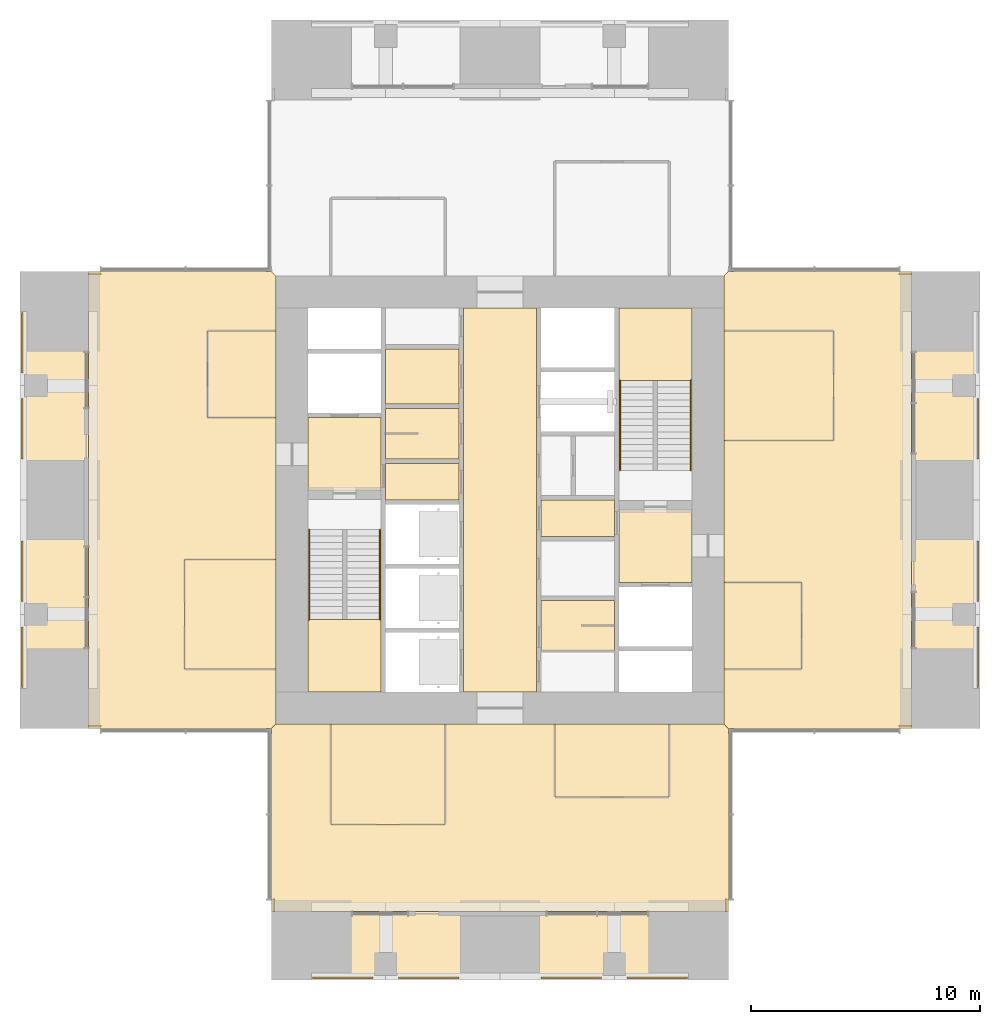
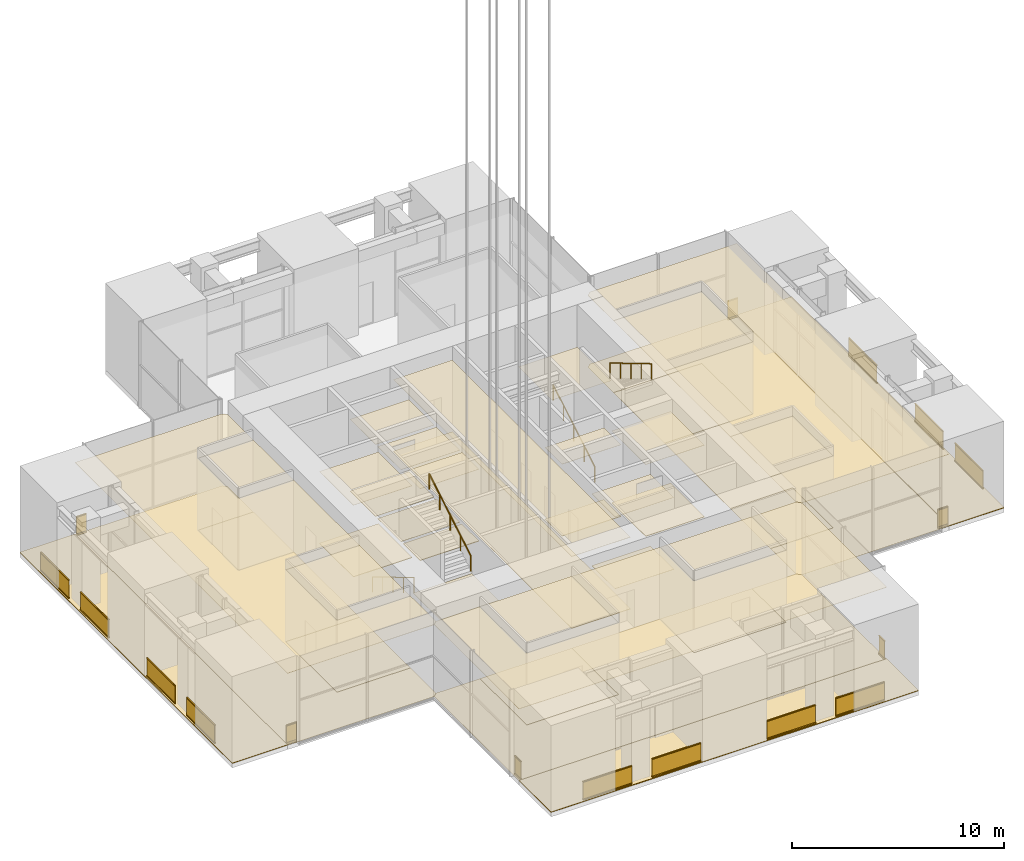
# One storey, part 15 of 17: 39 coverings, 21 railings.
"""IFC4 building model written with IfcOpenShell, lengths in metres."""

from ifc_helpers import new_model, si_unit, direction, frame, origin, origin_2d, place, context, subcontext, project, spatial, polyline, rectangle, circle, outline, extrude, material, layer, layer_set, type_object, element, save


model = new_model("IFC4")

# Units and contexts
model_context = context("Model", 3, precision=1e-05, world=origin(), true_north=direction((0.0, 1.0)))
body_context = subcontext(model_context, "Body", "Model", "MODEL_VIEW")
ifc_project = project(units=[si_unit("LENGTHUNIT", "METRE"), si_unit("AREAUNIT", "SQUARE_METRE"), si_unit("VOLUMEUNIT", "CUBIC_METRE"), si_unit("PLANEANGLEUNIT", "RADIAN"), si_unit("MASSUNIT", "GRAM", prefix="KILO")], contexts=[model_context])

# Site, building, storey
site_placement = place(None, origin())
site = spatial("IfcSite", under=ifc_project, at=site_placement, CompositionType="ELEMENT")
building_placement = place(site_placement, origin())
building = spatial("IfcBuilding", under=site, at=building_placement, Name="Svetlomir Tower", CompositionType="ELEMENT")
storey_placement = place(building_placement, frame((0.0, 0.0, 165.5)))
storey = spatial("IfcBuildingStorey", under=building, at=storey_placement, Name="L39", CompositionType="ELEMENT", Elevation=165.5)

# Railings
ifc_material_1 = material(Name="Bronze anodised aluminium and laminated glass", Category="aluminium")
railing_type_1 = type_object("IfcRailingType", Name="BALCONY GUARD GR1 1100", PredefinedType="GUARDRAIL", material=ifc_material_1)
for number, where, name in (
    (1, (12.800048828125, 0.10009765625, 0.0), "Loggia guard S L39 bay 1"),
    (2, (16.550048828125, 0.10009765625, 0.0), "Loggia guard S L39 bay 2"),
    (3, (22.800048828125, 0.10009765625, 0.0), "Loggia guard S L39 bay 3"),
    (4, (26.550048828125, 0.10009765625, 0.0), "Loggia guard S L39 bay 4"),
):
    element("IfcRailing", number, at=place(storey_placement, frame(where)), inside=storey, type_object=railing_type_1, Name=name, PredefinedType="GUARDRAIL", context=body_context, shape_type="SweptSolid", body=[
        extrude(rectangle(XDim=0.06005859375, YDim=0.10009765625, at=origin_2d()), frame((0.0, 0.0, 0.050048828125), z_axis=(1.0, 0.0, 0.0), x_axis=(0.0, 1.0, 0.0)), (0.0, 0.0, 1.0), 2.64990234375),
        extrude(rectangle(XDim=0.021484375, YDim=0.960205078125, at=origin_2d()), frame((0.0, 0.0, 0.580078125), z_axis=(1.0, 0.0, 0.0), x_axis=(0.0, 1.0, 0.0)), (0.0, 0.0, 1.0), 2.64990234375),
        extrude(rectangle(XDim=0.06005859375, YDim=0.0400390625, at=origin_2d()), frame((0.0, 0.0, 1.080078125), z_axis=(1.0, 0.0, 0.0), x_axis=(0.0, 1.0, 0.0)), (0.0, 0.0, 1.0), 2.64990234375),
    ])
for number, where, name in (
    (5, (11.10009765625, 3.550048828125, 0.0), "Loggia guard S L39 end 1"),
    (6, (30.89990234375, 3.550048828125, 0.0), "Loggia guard S L39 end 2"),
):
    element("IfcRailing", number, at=place(storey_placement, frame(where)), inside=storey, type_object=railing_type_1, Name=name, PredefinedType="GUARDRAIL", context=body_context, shape_type="SweptSolid", body=[
        extrude(rectangle(XDim=0.06005859375, YDim=0.10009765625, at=origin_2d()), frame((0.0, 0.0, 0.050048828125), z_axis=(0.0, -1.0, 0.0), x_axis=(1.0, 0.0, 0.0)), (0.0, 0.0, 1.0), 0.550048828125),
        extrude(rectangle(XDim=0.021484375, YDim=0.960205078125, at=origin_2d()), frame((0.0, 0.0, 0.580078125), z_axis=(0.0, -1.0, 0.0), x_axis=(1.0, 0.0, 0.0)), (0.0, 0.0, 1.0), 0.550048828125),
        extrude(rectangle(XDim=0.06005859375, YDim=0.0400390625, at=origin_2d()), frame((0.0, 0.0, 1.080078125), z_axis=(0.0, -1.0, 0.0), x_axis=(1.0, 0.0, 0.0)), (0.0, 0.0, 1.0), 0.550048828125),
    ])
for number, where, name in (
    (7, (41.89990234375, 12.800048828125, 0.0), "Loggia guard E L39 bay 1"),
    (8, (41.89990234375, 16.550048828125, 0.0), "Loggia guard E L39 bay 2"),
    (9, (41.89990234375, 22.800048828125, 0.0), "Loggia guard E L39 bay 3"),
):
    element("IfcRailing", number, at=place(storey_placement, frame(where)), inside=storey, type_object=railing_type_1, Name=name, PredefinedType="GUARDRAIL", context=body_context, shape_type="SweptSolid", body=[
        extrude(rectangle(XDim=0.06005859375, YDim=0.10009765625, at=origin_2d()), frame((0.0, 0.0, 0.050048828125), z_axis=(0.0, 1.0, 0.0), x_axis=(-1.0, 0.0, 0.0)), (0.0, 0.0, 1.0), 2.64990234375),
        extrude(rectangle(XDim=0.021484375, YDim=0.960205078125, at=origin_2d()), frame((0.0, 0.0, 0.580078125), z_axis=(0.0, 1.0, 0.0), x_axis=(-1.0, 0.0, 0.0)), (0.0, 0.0, 1.0), 2.64990234375),
        extrude(rectangle(XDim=0.06005859375, YDim=0.0400390625, at=origin_2d()), frame((0.0, 0.0, 1.080078125), z_axis=(0.0, 1.0, 0.0), x_axis=(-1.0, 0.0, 0.0)), (0.0, 0.0, 1.0), 2.64990234375),
    ])
for number, where, name in (
    (10, (38.449951171875, 11.10009765625, 0.0), "Loggia guard E L39 end 1"),
    (11, (38.449951171875, 30.89990234375, 0.0), "Loggia guard E L39 end 2"),
):
    element("IfcRailing", number, at=place(storey_placement, frame(where)), inside=storey, type_object=railing_type_1, Name=name, PredefinedType="GUARDRAIL", context=body_context, shape_type="SweptSolid", body=[
        extrude(rectangle(XDim=0.06005859375, YDim=0.10009765625, at=origin_2d()), frame((0.0, 0.0, 0.050048828125), z_axis=(1.0, 0.0, 0.0), x_axis=(0.0, 1.0, 0.0)), (0.0, 0.0, 1.0), 0.550048828125),
        extrude(rectangle(XDim=0.021484375, YDim=0.960205078125, at=origin_2d()), frame((0.0, 0.0, 0.580078125), z_axis=(1.0, 0.0, 0.0), x_axis=(0.0, 1.0, 0.0)), (0.0, 0.0, 1.0), 0.550048828125),
        extrude(rectangle(XDim=0.06005859375, YDim=0.0400390625, at=origin_2d()), frame((0.0, 0.0, 1.080078125), z_axis=(1.0, 0.0, 0.0), x_axis=(0.0, 1.0, 0.0)), (0.0, 0.0, 1.0), 0.550048828125),
    ])
for number, where, name in (
    (12, (0.10009765625, 12.800048828125, 0.0), "Loggia guard W L39 bay 1"),
    (13, (0.10009765625, 16.550048828125, 0.0), "Loggia guard W L39 bay 2"),
    (14, (0.10009765625, 22.800048828125, 0.0), "Loggia guard W L39 bay 3"),
    (15, (0.10009765625, 26.550048828125, 0.0), "Loggia guard W L39 bay 4"),
):
    element("IfcRailing", number, at=place(storey_placement, frame(where)), inside=storey, type_object=railing_type_1, Name=name, PredefinedType="GUARDRAIL", context=body_context, shape_type="SweptSolid", body=[
        extrude(rectangle(XDim=0.06005859375, YDim=0.10009765625, at=origin_2d()), frame((0.0, 0.0, 0.050048828125), z_axis=(0.0, 1.0, 0.0), x_axis=(-1.0, 0.0, 0.0)), (0.0, 0.0, 1.0), 2.64990234375),
        extrude(rectangle(XDim=0.021484375, YDim=0.960205078125, at=origin_2d()), frame((0.0, 0.0, 0.580078125), z_axis=(0.0, 1.0, 0.0), x_axis=(-1.0, 0.0, 0.0)), (0.0, 0.0, 1.0), 2.64990234375),
        extrude(rectangle(XDim=0.06005859375, YDim=0.0400390625, at=origin_2d()), frame((0.0, 0.0, 1.080078125), z_axis=(0.0, 1.0, 0.0), x_axis=(-1.0, 0.0, 0.0)), (0.0, 0.0, 1.0), 2.64990234375),
    ])
for number, where, name in (
    (16, (3.550048828125, 11.10009765625, 0.0), "Loggia guard W L39 end 1"),
    (17, (3.550048828125, 30.89990234375, 0.0), "Loggia guard W L39 end 2"),
):
    element("IfcRailing", number, at=place(storey_placement, frame(where)), inside=storey, type_object=railing_type_1, Name=name, PredefinedType="GUARDRAIL", context=body_context, shape_type="SweptSolid", body=[
        extrude(rectangle(XDim=0.06005859375, YDim=0.10009765625, at=origin_2d()), frame((0.0, 0.0, 0.050048828125), z_axis=(-1.0, 0.0, 0.0), x_axis=(0.0, -1.0, 0.0)), (0.0, 0.0, 1.0), 0.550048828125),
        extrude(rectangle(XDim=0.021484375, YDim=0.960205078125, at=origin_2d()), frame((0.0, 0.0, 0.580078125), z_axis=(-1.0, 0.0, 0.0), x_axis=(0.0, -1.0, 0.0)), (0.0, 0.0, 1.0), 0.550048828125),
        extrude(rectangle(XDim=0.06005859375, YDim=0.0400390625, at=origin_2d()), frame((0.0, 0.0, 1.080078125), z_axis=(-1.0, 0.0, 0.0), x_axis=(0.0, -1.0, 0.0)), (0.0, 0.0, 1.0), 0.550048828125),
    ])

# Coverings
ifc_material_2 = material(Name="Granite paving slabs on pedestals", Category="masonry")
ifc_layer_1 = layer(ifc_material_2, 0.0400390625)
ifc_layer_set_1 = layer_set([ifc_layer_1], Name="Granite paving slabs on pedestals")
covering_type_1 = type_object("IfcCoveringType", Name="BALCONY PAVING 40", PredefinedType="USERDEFINED", material=ifc_layer_set_1)
covering_1_placement = place(storey_placement, origin())
element("IfcCovering", 18, at=covering_1_placement, inside=storey, type_object=covering_type_1, Name="Loggia paving S L39", ObjectType="BALCONY PAVING", PredefinedType="USERDEFINED", context=body_context, shape_type="SweptSolid", body=[
    extrude(outline(polyline([(11.0, 0.0), (31.0, 0.0), (31.0, 3.0), (11.0, 3.0), (11.0, 0.0)])), origin(), (0.0, 0.0, 1.0), 0.0400390625),
])
covering_2_placement = place(storey_placement, origin())
element("IfcCovering", 19, at=covering_2_placement, inside=storey, type_object=covering_type_1, Name="Loggia paving E L39", ObjectType="BALCONY PAVING", PredefinedType="USERDEFINED", context=body_context, shape_type="SweptSolid", body=[
    extrude(outline(polyline([(39.0, 11.0), (42.0, 11.0), (42.0, 31.0), (39.0, 31.0), (39.0, 11.0)])), origin(), (0.0, 0.0, 1.0), 0.0400390625),
])
covering_3_placement = place(storey_placement, origin())
element("IfcCovering", 20, at=covering_3_placement, inside=storey, type_object=covering_type_1, Name="Loggia paving W L39", ObjectType="BALCONY PAVING", PredefinedType="USERDEFINED", context=body_context, shape_type="SweptSolid", body=[
    extrude(outline(polyline([(0.0, 11.0), (3.0, 11.0), (3.0, 31.0), (0.0, 31.0), (0.0, 11.0)])), origin(), (0.0, 0.0, 1.0), 0.0400390625),
])
ifc_material_3 = material(Name="Carpet tile", Category="textile")
ifc_layer_2 = layer(ifc_material_3, 0.010009765625)
ifc_layer_set_2 = layer_set([ifc_layer_2], Name="Carpet tile")
covering_type_2 = type_object("IfcCoveringType", Name="CARPET TILE FLOOR 10", PredefinedType="FLOORING", material=ifc_layer_set_2)
covering_4_placement = place(storey_placement, origin())
element("IfcCovering", 21, at=covering_4_placement, inside=storey, type_object=covering_type_2, Name="Floor finish L39-16", PredefinedType="FLOORING", context=body_context, shape_type="SweptSolid", body=[
    extrude(outline(polyline([(13.60009765625, 6.800048828125), (18.60009765625, 6.800048828125), (18.60009765625, 11.199951171875), (13.60009765625, 11.199951171875), (13.60009765625, 6.800048828125)])), origin(), (0.0, 0.0, 1.0), 0.010009765625),
])
covering_5_placement = place(storey_placement, origin())
element("IfcCovering", 22, at=covering_5_placement, inside=storey, type_object=covering_type_2, Name="Floor finish L39-17", PredefinedType="FLOORING", context=body_context, shape_type="SweptSolid", body=[
    extrude(outline(polyline([(23.39990234375, 8.0), (28.39990234375, 8.0), (28.39990234375, 11.199951171875), (23.39990234375, 11.199951171875), (23.39990234375, 8.0)])), origin(), (0.0, 0.0, 1.0), 0.010009765625),
])
covering_6_placement = place(storey_placement, origin())
element("IfcCovering", 23, at=covering_6_placement, inside=storey, type_object=covering_type_2, Name="Floor finish L39-18", PredefinedType="FLOORING", context=body_context, shape_type="SweptSolid", body=[
    extrude(outline(polyline([(30.800048828125, 13.60009765625), (34.199951171875, 13.60009765625), (34.199951171875, 17.39990234375), (30.800048828125, 17.39990234375), (30.800048828125, 13.60009765625)])), origin(), (0.0, 0.0, 1.0), 0.010009765625),
])
covering_7_placement = place(storey_placement, origin())
element("IfcCovering", 24, at=covering_7_placement, inside=storey, type_object=covering_type_2, Name="Floor finish L39-19", PredefinedType="FLOORING", context=body_context, shape_type="SweptSolid", body=[
    extrude(outline(polyline([(30.800048828125, 23.60009765625), (35.60009765625, 23.60009765625), (35.60009765625, 28.39990234375), (30.800048828125, 28.39990234375), (30.800048828125, 23.60009765625)])), origin(), (0.0, 0.0, 1.0), 0.010009765625),
])
covering_8_placement = place(storey_placement, origin())
element("IfcCovering", 25, at=covering_8_placement, inside=storey, type_object=covering_type_2, Name="Floor finish L39-22", PredefinedType="FLOORING", context=body_context, shape_type="SweptSolid", body=[
    extrude(outline(polyline([(7.199951171875, 13.60009765625), (11.199951171875, 13.60009765625), (11.199951171875, 18.39990234375), (7.199951171875, 18.39990234375), (7.199951171875, 13.60009765625)])), origin(), (0.0, 0.0, 1.0), 0.010009765625),
])
covering_9_placement = place(storey_placement, origin())
element("IfcCovering", 26, at=covering_9_placement, inside=storey, type_object=covering_type_2, Name="Floor finish L39-23", PredefinedType="FLOORING", context=body_context, shape_type="SweptSolid", body=[
    extrude(outline(polyline([(8.199951171875, 24.60009765625), (11.199951171875, 24.60009765625), (11.199951171875, 28.39990234375), (8.199951171875, 28.39990234375), (8.199951171875, 24.60009765625)])), origin(), (0.0, 0.0, 1.0), 0.010009765625),
])
covering_10_placement = place(storey_placement, origin())
element("IfcCovering", 27, at=covering_10_placement, inside=storey, type_object=covering_type_2, Name="Floor finish L39-24", PredefinedType="FLOORING", context=body_context, shape_type="SweptSolid", body=[
    extrude(outline(polyline([(31.0, 3.0), (11.0, 3.0), (11.0, 11.0), (11.199951171875, 11.199951171875), (13.60009765625, 11.199951171875), (13.60009765625, 6.800048828125), (18.60009765625, 6.800048828125), (18.60009765625, 11.199951171875), (23.39990234375, 11.199951171875), (23.39990234375, 8.0), (28.39990234375, 8.0), (28.39990234375, 11.199951171875), (30.800048828125, 11.199951171875), (31.0, 11.0), (31.0, 3.0)])), origin(), (0.0, 0.0, 1.0), 0.010009765625),
])
covering_11_placement = place(storey_placement, origin())
element("IfcCovering", 28, at=covering_11_placement, inside=storey, type_object=covering_type_2, Name="Floor finish L39-25", PredefinedType="FLOORING", context=body_context, shape_type="SweptSolid", body=[
    extrude(outline(polyline([(30.800048828125, 13.60009765625), (34.199951171875, 13.60009765625), (34.199951171875, 17.39990234375), (30.800048828125, 17.39990234375), (30.800048828125, 23.60009765625), (35.60009765625, 23.60009765625), (35.60009765625, 28.39990234375), (30.800048828125, 28.39990234375), (30.800048828125, 30.800048828125), (31.0, 31.0), (39.0, 31.0), (39.0, 11.0), (31.0, 11.0), (30.800048828125, 11.199951171875), (30.800048828125, 13.60009765625)])), origin(), (0.0, 0.0, 1.0), 0.010009765625),
])
covering_12_placement = place(storey_placement, origin())
element("IfcCovering", 29, at=covering_12_placement, inside=storey, type_object=covering_type_2, Name="Floor finish L39-27", PredefinedType="FLOORING", context=body_context, shape_type="SweptSolid", body=[
    extrude(outline(polyline([(3.0, 11.0), (3.0, 31.0), (11.0, 31.0), (11.199951171875, 30.800048828125), (11.199951171875, 28.39990234375), (8.199951171875, 28.39990234375), (8.199951171875, 24.60009765625), (11.199951171875, 24.60009765625), (11.199951171875, 18.39990234375), (7.199951171875, 18.39990234375), (7.199951171875, 13.60009765625), (11.199951171875, 13.60009765625), (11.199951171875, 11.199951171875), (11.0, 11.0), (3.0, 11.0)])), origin(), (0.0, 0.0, 1.0), 0.010009765625),
])
ifc_material_4 = material(Name="Ceramic floor tile", Category="ceramic")
ifc_layer_3 = layer(ifc_material_4, 0.014892578125)
ifc_layer_set_3 = layer_set([ifc_layer_3], Name="Ceramic floor tile")
covering_type_3 = type_object("IfcCoveringType", Name="CERAMIC TILE FLOOR 15", PredefinedType="FLOORING", material=ifc_layer_set_3)
covering_13_placement = place(storey_placement, origin())
element("IfcCovering", 30, at=covering_13_placement, inside=storey, type_object=covering_type_3, Name="Floor finish L39-04", PredefinedType="FLOORING", context=body_context, shape_type="SweptSolid", body=[
    extrude(outline(polyline([(16.0, 22.800048828125), (19.199951171875, 22.800048828125), (19.199951171875, 25.0), (16.0, 25.0), (16.0, 22.800048828125)])), origin(), (0.0, 0.0, 1.0), 0.014892578125),
])
covering_14_placement = place(storey_placement, origin())
element("IfcCovering", 31, at=covering_14_placement, inside=storey, type_object=covering_type_3, Name="Floor finish L39-05", PredefinedType="FLOORING", context=body_context, shape_type="SweptSolid", body=[
    extrude(outline(polyline([(16.0, 25.199951171875), (19.199951171875, 25.199951171875), (19.199951171875, 27.60009765625), (16.0, 27.60009765625), (16.0, 25.199951171875)])), origin(), (0.0, 0.0, 1.0), 0.014892578125),
])
covering_15_placement = place(storey_placement, origin())
element("IfcCovering", 32, at=covering_15_placement, inside=storey, type_object=covering_type_3, Name="Floor finish L39-09", PredefinedType="FLOORING", context=body_context, shape_type="SweptSolid", body=[
    extrude(outline(polyline([(22.800048828125, 14.39990234375), (26.0, 14.39990234375), (26.0, 16.60009765625), (22.800048828125, 16.60009765625), (22.800048828125, 14.39990234375)])), origin(), (0.0, 0.0, 1.0), 0.014892578125),
])

# Railings
ifc_material_5 = material(Name="Stainless steel", Category="steel")
railing_type_2 = type_object("IfcRailingType", Name="HANDRAIL HR1 900", PredefinedType="HANDRAIL", material=ifc_material_5)
railing_1_placement = place(storey_placement, frame((12.64990234375, 19.699951171875, 0.166748046875)))
element("IfcRailing", 33, at=railing_1_placement, inside=storey, type_object=railing_type_2, Name="Handrail S1 flight 1 L39", PredefinedType="HANDRAIL", context=body_context, shape_type="SweptSolid", body=[
    extrude(circle(Radius=0.02392578125, at=origin_2d()), frame((0.0, 0.0, 0.8759765625), z_axis=(0.0, -0.859296244711, 0.511478214419), x_axis=(1.0, 0.0, 0.0)), (0.0, 0.0, 1.0), 4.561767578125),
    extrude(circle(Radius=0.02099609375, at=origin_2d()), origin(), (0.0, 0.0, 1.0), 0.851806640625),
    extrude(circle(Radius=0.02099609375, at=origin_2d()), frame((0.0, -0.97998046875, 0.583251953125)), (0.0, 0.0, 1.0), 0.851806640625),
    extrude(circle(Radius=0.02099609375, at=origin_2d()), frame((0.0, -1.9599609375, 1.16650390625)), (0.0, 0.0, 1.0), 0.851806640625),
    extrude(circle(Radius=0.02099609375, at=origin_2d()), frame((0.0, -2.93994140625, 1.75)), (0.0, 0.0, 1.0), 0.851806640625),
    extrude(circle(Radius=0.02099609375, at=origin_2d()), frame((0.0, -3.919921875, 2.333251953125)), (0.0, 0.0, 1.0), 0.851806640625),
])
for number, where, name in (
    (34, (15.75, 15.780029296875, 2.666748046875), "Handrail S1 flight 2 L39"),
    (35, (26.25, 22.300048828125, 0.166748046875), "Handrail S2 flight 1 L39"),
):
    element("IfcRailing", number, at=place(storey_placement, frame(where)), inside=storey, type_object=railing_type_2, Name=name, PredefinedType="HANDRAIL", context=body_context, shape_type="SweptSolid", body=[
        extrude(circle(Radius=0.02392578125, at=origin_2d()), frame((0.0, 0.0, 0.8759765625), z_axis=(0.0, 0.859296244711, 0.511478214419), x_axis=(-1.0, 0.0, 0.0)), (0.0, 0.0, 1.0), 4.561767578125),
        extrude(circle(Radius=0.02099609375, at=origin_2d()), origin(), (0.0, 0.0, 1.0), 0.851806640625),
        extrude(circle(Radius=0.02099609375, at=origin_2d()), frame((0.0, 0.97998046875, 0.583251953125)), (0.0, 0.0, 1.0), 0.851806640625),
        extrude(circle(Radius=0.02099609375, at=origin_2d()), frame((0.0, 1.9599609375, 1.16650390625)), (0.0, 0.0, 1.0), 0.851806640625),
        extrude(circle(Radius=0.02099609375, at=origin_2d()), frame((0.0, 2.93994140625, 1.75)), (0.0, 0.0, 1.0), 0.851806640625),
        extrude(circle(Radius=0.02099609375, at=origin_2d()), frame((0.0, 3.919921875, 2.333251953125)), (0.0, 0.0, 1.0), 0.851806640625),
    ])
railing_2_placement = place(storey_placement, frame((29.35009765625, 26.219970703125, 2.666748046875)))
element("IfcRailing", 36, at=railing_2_placement, inside=storey, type_object=railing_type_2, Name="Handrail S2 flight 2 L39", PredefinedType="HANDRAIL", context=body_context, shape_type="SweptSolid", body=[
    extrude(circle(Radius=0.02392578125, at=origin_2d()), frame((0.0, 0.0, 0.8759765625), z_axis=(0.0, -0.859296244711, 0.511478214419), x_axis=(1.0, 0.0, 0.0)), (0.0, 0.0, 1.0), 4.561767578125),
    extrude(circle(Radius=0.02099609375, at=origin_2d()), origin(), (0.0, 0.0, 1.0), 0.851806640625),
    extrude(circle(Radius=0.02099609375, at=origin_2d()), frame((0.0, -0.97998046875, 0.583251953125)), (0.0, 0.0, 1.0), 0.851806640625),
    extrude(circle(Radius=0.02099609375, at=origin_2d()), frame((0.0, -1.9599609375, 1.16650390625)), (0.0, 0.0, 1.0), 0.851806640625),
    extrude(circle(Radius=0.02099609375, at=origin_2d()), frame((0.0, -2.93994140625, 1.75)), (0.0, 0.0, 1.0), 0.851806640625),
    extrude(circle(Radius=0.02099609375, at=origin_2d()), frame((0.0, -3.919921875, 2.333251953125)), (0.0, 0.0, 1.0), 0.851806640625),
])

# Coverings
ifc_material_6 = material(Name="Moisture resistant plasterboard ceiling", Category="gypsum")
ifc_layer_4 = layer(ifc_material_6, 0.012451171875)
ifc_layer_set_4 = layer_set([ifc_layer_4], Name="Moisture resistant plasterboard ceiling")
covering_type_4 = type_object("IfcCoveringType", Name="MOISTURE RESISTANT CEILING 12.5", PredefinedType="CEILING", material=ifc_layer_set_4)
covering_16_placement = place(storey_placement, frame((0.0, 0.0, 4.137451171875)))
element("IfcCovering", 37, at=covering_16_placement, inside=storey, type_object=covering_type_4, Name="Ceiling L39-04", PredefinedType="CEILING", context=body_context, shape_type="SweptSolid", body=[
    extrude(outline(polyline([(16.0, 22.800048828125), (19.199951171875, 22.800048828125), (19.199951171875, 25.0), (16.0, 25.0), (16.0, 22.800048828125)])), origin(), (0.0, 0.0, 1.0), 0.012451171875),
])
covering_17_placement = place(storey_placement, frame((0.0, 0.0, 4.137451171875)))
element("IfcCovering", 38, at=covering_17_placement, inside=storey, type_object=covering_type_4, Name="Ceiling L39-05", PredefinedType="CEILING", context=body_context, shape_type="SweptSolid", body=[
    extrude(outline(polyline([(16.0, 25.199951171875), (19.199951171875, 25.199951171875), (19.199951171875, 27.60009765625), (16.0, 27.60009765625), (16.0, 25.199951171875)])), origin(), (0.0, 0.0, 1.0), 0.012451171875),
])
covering_18_placement = place(storey_placement, frame((0.0, 0.0, 4.137451171875)))
element("IfcCovering", 39, at=covering_18_placement, inside=storey, type_object=covering_type_4, Name="Ceiling L39-09", PredefinedType="CEILING", context=body_context, shape_type="SweptSolid", body=[
    extrude(outline(polyline([(22.800048828125, 14.39990234375), (26.0, 14.39990234375), (26.0, 16.60009765625), (22.800048828125, 16.60009765625), (22.800048828125, 14.39990234375)])), origin(), (0.0, 0.0, 1.0), 0.012451171875),
])
ifc_material_7 = material(Name="Gypsum plasterboard ceiling", Category="gypsum")
ifc_layer_5 = layer(ifc_material_7, 0.014892578125)
ifc_layer_set_5 = layer_set([ifc_layer_5], Name="Gypsum plasterboard ceiling")
covering_type_5 = type_object("IfcCoveringType", Name="PLASTERBOARD CEILING 15", PredefinedType="CEILING", material=ifc_layer_set_5)
covering_19_placement = place(storey_placement, frame((0.0, 0.0, 4.135009765625)))
element("IfcCovering", 40, at=covering_19_placement, inside=storey, type_object=covering_type_5, Name="Ceiling L39-02", PredefinedType="CEILING", context=body_context, shape_type="SweptSolid", body=[
    extrude(outline(polyline([(12.60009765625, 21.39990234375), (15.800048828125, 21.39990234375), (15.800048828125, 24.60009765625), (12.60009765625, 24.60009765625), (12.60009765625, 21.39990234375)])), origin(), (0.0, 0.0, 1.0), 0.014892578125),
])
covering_20_placement = place(storey_placement, frame((0.0, 0.0, 4.135009765625)))
element("IfcCovering", 41, at=covering_20_placement, inside=storey, type_object=covering_type_5, Name="Ceiling L39-03", PredefinedType="CEILING", context=body_context, shape_type="SweptSolid", body=[
    extrude(outline(polyline([(16.0, 21.0), (19.199951171875, 21.0), (19.199951171875, 22.60009765625), (16.0, 22.60009765625), (16.0, 21.0)])), origin(), (0.0, 0.0, 1.0), 0.014892578125),
])
covering_21_placement = place(storey_placement, frame((0.0, 0.0, 4.135009765625)))
element("IfcCovering", 42, at=covering_21_placement, inside=storey, type_object=covering_type_5, Name="Ceiling L39-07", PredefinedType="CEILING", context=body_context, shape_type="SweptSolid", body=[
    extrude(outline(polyline([(19.39990234375, 12.60009765625), (22.60009765625, 12.60009765625), (22.60009765625, 29.39990234375), (19.39990234375, 29.39990234375), (19.39990234375, 12.60009765625)])), origin(), (0.0, 0.0, 1.0), 0.014892578125),
])
covering_22_placement = place(storey_placement, frame((0.0, 0.0, 4.135009765625)))
element("IfcCovering", 43, at=covering_22_placement, inside=storey, type_object=covering_type_5, Name="Ceiling L39-11", PredefinedType="CEILING", context=body_context, shape_type="SweptSolid", body=[
    extrude(outline(polyline([(22.800048828125, 19.39990234375), (26.0, 19.39990234375), (26.0, 21.0), (22.800048828125, 21.0), (22.800048828125, 19.39990234375)])), origin(), (0.0, 0.0, 1.0), 0.014892578125),
])
covering_23_placement = place(storey_placement, frame((0.0, 0.0, 4.135009765625)))
element("IfcCovering", 44, at=covering_23_placement, inside=storey, type_object=covering_type_5, Name="Ceiling L39-12", PredefinedType="CEILING", context=body_context, shape_type="SweptSolid", body=[
    extrude(outline(polyline([(26.199951171875, 17.39990234375), (29.39990234375, 17.39990234375), (29.39990234375, 20.60009765625), (26.199951171875, 20.60009765625), (26.199951171875, 17.39990234375)])), origin(), (0.0, 0.0, 1.0), 0.014892578125),
])
ifc_material_8 = material(Name="Studded rubber floor finish", Category="rubber")
ifc_layer_6 = layer(ifc_material_8, 0.006103515625)
ifc_layer_set_6 = layer_set([ifc_layer_6], Name="Studded rubber floor finish")
covering_type_6 = type_object("IfcCoveringType", Name="RUBBER LANDING FINISH 6", PredefinedType="FLOORING", material=ifc_layer_set_6)
covering_24_placement = place(storey_placement, frame((0.0, 0.0, 2.5)))
element("IfcCovering", 45, at=covering_24_placement, inside=storey, type_object=covering_type_6, Name="Stair S1 landing finish L39", PredefinedType="FLOORING", context=body_context, shape_type="SweptSolid", body=[
    extrude(outline(polyline([(12.60009765625, 12.60009765625), (15.800048828125, 12.60009765625), (15.800048828125, 15.780029296875), (12.60009765625, 15.780029296875), (12.60009765625, 12.60009765625)])), origin(), (0.0, 0.0, 1.0), 0.006103515625),
])
covering_25_placement = place(storey_placement, frame((0.0, 0.0, 2.5)))
element("IfcCovering", 46, at=covering_25_placement, inside=storey, type_object=covering_type_6, Name="Stair S2 landing finish L39", PredefinedType="FLOORING", context=body_context, shape_type="SweptSolid", body=[
    extrude(outline(polyline([(26.199951171875, 26.219970703125), (29.39990234375, 26.219970703125), (29.39990234375, 29.39990234375), (26.199951171875, 29.39990234375), (26.199951171875, 26.219970703125)])), origin(), (0.0, 0.0, 1.0), 0.006103515625),
])
ifc_material_9 = material(Name="Mineral fibre ceiling tile", Category="mineral")
ifc_layer_7 = layer(ifc_material_9, 0.02001953125)
ifc_layer_set_7 = layer_set([ifc_layer_7], Name="Mineral fibre ceiling tile")
covering_type_7 = type_object("IfcCoveringType", Name="SUSPENDED CEILING 20", PredefinedType="CEILING", material=ifc_layer_set_7)
covering_26_placement = place(storey_placement, frame((0.0, 0.0, 4.1298828125)))
element("IfcCovering", 47, at=covering_26_placement, inside=storey, type_object=covering_type_7, Name="Ceiling L39-16", PredefinedType="CEILING", context=body_context, shape_type="SweptSolid", body=[
    extrude(outline(polyline([(13.60009765625, 6.800048828125), (18.60009765625, 6.800048828125), (18.60009765625, 11.199951171875), (13.60009765625, 11.199951171875), (13.60009765625, 6.800048828125)])), origin(), (0.0, 0.0, 1.0), 0.02001953125),
])
covering_27_placement = place(storey_placement, frame((0.0, 0.0, 4.1298828125)))
element("IfcCovering", 48, at=covering_27_placement, inside=storey, type_object=covering_type_7, Name="Ceiling L39-17", PredefinedType="CEILING", context=body_context, shape_type="SweptSolid", body=[
    extrude(outline(polyline([(23.39990234375, 8.0), (28.39990234375, 8.0), (28.39990234375, 11.199951171875), (23.39990234375, 11.199951171875), (23.39990234375, 8.0)])), origin(), (0.0, 0.0, 1.0), 0.02001953125),
])
covering_28_placement = place(storey_placement, frame((0.0, 0.0, 4.1298828125)))
element("IfcCovering", 49, at=covering_28_placement, inside=storey, type_object=covering_type_7, Name="Ceiling L39-18", PredefinedType="CEILING", context=body_context, shape_type="SweptSolid", body=[
    extrude(outline(polyline([(30.800048828125, 13.60009765625), (34.199951171875, 13.60009765625), (34.199951171875, 17.39990234375), (30.800048828125, 17.39990234375), (30.800048828125, 13.60009765625)])), origin(), (0.0, 0.0, 1.0), 0.02001953125),
])
covering_29_placement = place(storey_placement, frame((0.0, 0.0, 4.1298828125)))
element("IfcCovering", 50, at=covering_29_placement, inside=storey, type_object=covering_type_7, Name="Ceiling L39-19", PredefinedType="CEILING", context=body_context, shape_type="SweptSolid", body=[
    extrude(outline(polyline([(30.800048828125, 23.60009765625), (35.60009765625, 23.60009765625), (35.60009765625, 28.39990234375), (30.800048828125, 28.39990234375), (30.800048828125, 23.60009765625)])), origin(), (0.0, 0.0, 1.0), 0.02001953125),
])
covering_30_placement = place(storey_placement, frame((0.0, 0.0, 4.1298828125)))
element("IfcCovering", 51, at=covering_30_placement, inside=storey, type_object=covering_type_7, Name="Ceiling L39-22", PredefinedType="CEILING", context=body_context, shape_type="SweptSolid", body=[
    extrude(outline(polyline([(7.199951171875, 13.60009765625), (11.199951171875, 13.60009765625), (11.199951171875, 18.39990234375), (7.199951171875, 18.39990234375), (7.199951171875, 13.60009765625)])), origin(), (0.0, 0.0, 1.0), 0.02001953125),
])
covering_31_placement = place(storey_placement, frame((0.0, 0.0, 4.1298828125)))
element("IfcCovering", 52, at=covering_31_placement, inside=storey, type_object=covering_type_7, Name="Ceiling L39-23", PredefinedType="CEILING", context=body_context, shape_type="SweptSolid", body=[
    extrude(outline(polyline([(8.199951171875, 24.60009765625), (11.199951171875, 24.60009765625), (11.199951171875, 28.39990234375), (8.199951171875, 28.39990234375), (8.199951171875, 24.60009765625)])), origin(), (0.0, 0.0, 1.0), 0.02001953125),
])
covering_32_placement = place(storey_placement, frame((0.0, 0.0, 4.1298828125)))
element("IfcCovering", 53, at=covering_32_placement, inside=storey, type_object=covering_type_7, Name="Ceiling L39-24", PredefinedType="CEILING", context=body_context, shape_type="SweptSolid", body=[
    extrude(outline(polyline([(31.0, 3.0), (11.0, 3.0), (11.0, 11.0), (11.199951171875, 11.199951171875), (13.60009765625, 11.199951171875), (13.60009765625, 6.800048828125), (18.60009765625, 6.800048828125), (18.60009765625, 11.199951171875), (23.39990234375, 11.199951171875), (23.39990234375, 8.0), (28.39990234375, 8.0), (28.39990234375, 11.199951171875), (30.800048828125, 11.199951171875), (31.0, 11.0), (31.0, 3.0)])), origin(), (0.0, 0.0, 1.0), 0.02001953125),
])
covering_33_placement = place(storey_placement, frame((0.0, 0.0, 4.1298828125)))
element("IfcCovering", 54, at=covering_33_placement, inside=storey, type_object=covering_type_7, Name="Ceiling L39-25", PredefinedType="CEILING", context=body_context, shape_type="SweptSolid", body=[
    extrude(outline(polyline([(30.800048828125, 13.60009765625), (34.199951171875, 13.60009765625), (34.199951171875, 17.39990234375), (30.800048828125, 17.39990234375), (30.800048828125, 23.60009765625), (35.60009765625, 23.60009765625), (35.60009765625, 28.39990234375), (30.800048828125, 28.39990234375), (30.800048828125, 30.800048828125), (31.0, 31.0), (39.0, 31.0), (39.0, 11.0), (31.0, 11.0), (30.800048828125, 11.199951171875), (30.800048828125, 13.60009765625)])), origin(), (0.0, 0.0, 1.0), 0.02001953125),
])
covering_34_placement = place(storey_placement, frame((0.0, 0.0, 4.1298828125)))
element("IfcCovering", 55, at=covering_34_placement, inside=storey, type_object=covering_type_7, Name="Ceiling L39-27", PredefinedType="CEILING", context=body_context, shape_type="SweptSolid", body=[
    extrude(outline(polyline([(3.0, 11.0), (3.0, 31.0), (11.0, 31.0), (11.199951171875, 30.800048828125), (11.199951171875, 28.39990234375), (8.199951171875, 28.39990234375), (8.199951171875, 24.60009765625), (11.199951171875, 24.60009765625), (11.199951171875, 18.39990234375), (7.199951171875, 18.39990234375), (7.199951171875, 13.60009765625), (11.199951171875, 13.60009765625), (11.199951171875, 11.199951171875), (11.0, 11.0), (3.0, 11.0)])), origin(), (0.0, 0.0, 1.0), 0.02001953125),
])
ifc_material_10 = material(Name="Bronze-aggregate terrazzo", Category="stone")
ifc_layer_8 = layer(ifc_material_10, 0.030029296875)
ifc_layer_set_8 = layer_set([ifc_layer_8], Name="Bronze-aggregate terrazzo")
covering_type_8 = type_object("IfcCoveringType", Name="TERRAZZO FLOOR 30", PredefinedType="FLOORING", material=ifc_layer_set_8)
covering_35_placement = place(storey_placement, origin())
element("IfcCovering", 56, at=covering_35_placement, inside=storey, type_object=covering_type_8, Name="Floor finish L39-02", PredefinedType="FLOORING", context=body_context, shape_type="SweptSolid", body=[
    extrude(outline(polyline([(12.60009765625, 21.39990234375), (15.800048828125, 21.39990234375), (15.800048828125, 24.60009765625), (12.60009765625, 24.60009765625), (12.60009765625, 21.39990234375)])), origin(), (0.0, 0.0, 1.0), 0.030029296875),
])
covering_36_placement = place(storey_placement, origin())
element("IfcCovering", 57, at=covering_36_placement, inside=storey, type_object=covering_type_8, Name="Floor finish L39-03", PredefinedType="FLOORING", context=body_context, shape_type="SweptSolid", body=[
    extrude(outline(polyline([(16.0, 21.0), (19.199951171875, 21.0), (19.199951171875, 22.60009765625), (16.0, 22.60009765625), (16.0, 21.0)])), origin(), (0.0, 0.0, 1.0), 0.030029296875),
])
covering_37_placement = place(storey_placement, origin())
element("IfcCovering", 58, at=covering_37_placement, inside=storey, type_object=covering_type_8, Name="Floor finish L39-07", PredefinedType="FLOORING", context=body_context, shape_type="SweptSolid", body=[
    extrude(outline(polyline([(19.39990234375, 12.60009765625), (22.60009765625, 12.60009765625), (22.60009765625, 29.39990234375), (19.39990234375, 29.39990234375), (19.39990234375, 12.60009765625)])), origin(), (0.0, 0.0, 1.0), 0.030029296875),
])
covering_38_placement = place(storey_placement, origin())
element("IfcCovering", 59, at=covering_38_placement, inside=storey, type_object=covering_type_8, Name="Floor finish L39-11", PredefinedType="FLOORING", context=body_context, shape_type="SweptSolid", body=[
    extrude(outline(polyline([(22.800048828125, 19.39990234375), (26.0, 19.39990234375), (26.0, 21.0), (22.800048828125, 21.0), (22.800048828125, 19.39990234375)])), origin(), (0.0, 0.0, 1.0), 0.030029296875),
])
covering_39_placement = place(storey_placement, origin())
element("IfcCovering", 60, at=covering_39_placement, inside=storey, type_object=covering_type_8, Name="Floor finish L39-12", PredefinedType="FLOORING", context=body_context, shape_type="SweptSolid", body=[
    extrude(outline(polyline([(26.199951171875, 17.39990234375), (29.39990234375, 17.39990234375), (29.39990234375, 20.60009765625), (26.199951171875, 20.60009765625), (26.199951171875, 17.39990234375)])), origin(), (0.0, 0.0, 1.0), 0.030029296875),
])

save(model, "model.ifc")
